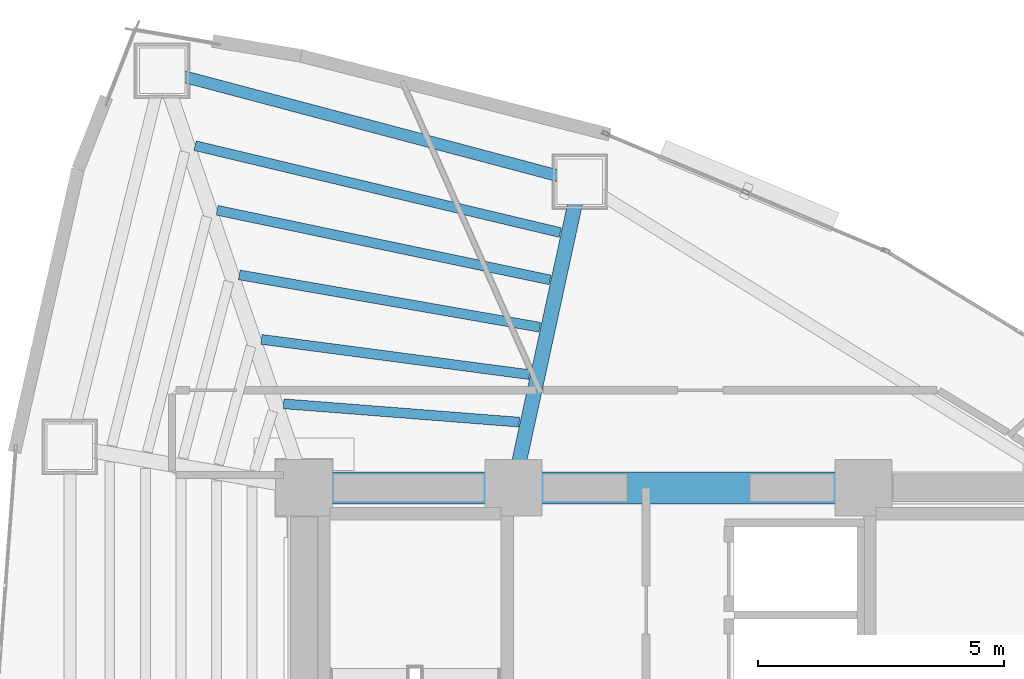
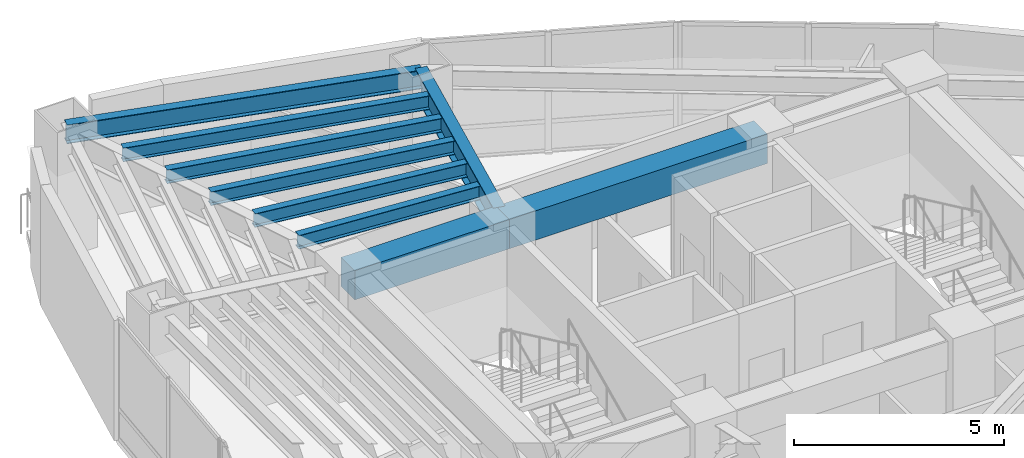
# One storey, part 8 of 15: 9 beams.
"""IFC4 building model written with IfcOpenShell, lengths in metres."""

from ifc_helpers import new_model, si_unit, direction, frame, origin, origin_2d, place, context, subcontext, project, spatial, rectangle, i_section, extrude, material, material_profile, profile_set, type_object, element, save


model = new_model("IFC4")

# Units and contexts
model_context = context("Model", 3, precision=1e-05, world=origin(), true_north=direction((0.0, 1.0)))
body_context = subcontext(model_context, "Body", "Model", "MODEL_VIEW")
ifc_project = project(units=[si_unit("LENGTHUNIT", "METRE"), si_unit("AREAUNIT", "SQUARE_METRE"), si_unit("VOLUMEUNIT", "CUBIC_METRE"), si_unit("PLANEANGLEUNIT", "RADIAN"), si_unit("MASSUNIT", "GRAM", prefix="KILO")], contexts=[model_context])

# Site, building, storey
site_placement = place(None, origin())
site = spatial("IfcSite", under=ifc_project, at=site_placement, CompositionType="ELEMENT")
building_placement = place(site_placement, origin())
building = spatial("IfcBuilding", under=site, at=building_placement, Name="Menara Vayukalpa", CompositionType="ELEMENT")
storey_placement = place(building_placement, frame((0.0, 0.0, 137.4599609375)))
storey = spatial("IfcBuildingStorey", under=building, at=storey_placement, Name="L34", CompositionType="ELEMENT", Elevation=137.4599609375)

# Beams
ifc_material_1 = material(Name="Concrete C60/75", Category="concrete")
ifc_material_profile_1 = material_profile(ifc_material_1, rectangle(XDim=0.64990234375, YDim=0.85009765625, at=origin_2d()), Name="RC 650x850")
ifc_profile_set_1 = profile_set([ifc_material_profile_1], Name="Concrete C60/75")
beam_type_1 = type_object("IfcBeamType", Name="BM-CB1", PredefinedType="BEAM", material=ifc_profile_set_1)
beam_1_placement = place(storey_placement, frame((17.800048828125, 26.800048828125, 3.074951171875), z_axis=(1.0, 0.0, 0.0), x_axis=(0.0, 1.0, 0.0)))
element("IfcBeam", 1, at=beam_1_placement, inside=storey, type_object=beam_type_1, Name="L34 Core Tie Beam CBR4", PredefinedType="BEAM", context=body_context, shape_type="SweptSolid", body=[
    extrude(rectangle(XDim=0.64990234375, YDim=0.85009765625, at=origin_2d()), origin(), (0.0, 0.0, 1.0), 4.25),
])
beam_2_placement = place(storey_placement, frame((22.050048828125, 26.800048828125, 3.074951171875), z_axis=(1.0, 0.0, 0.0), x_axis=(0.0, 1.0, 0.0)))
element("IfcBeam", 2, at=beam_2_placement, inside=storey, type_object=beam_type_1, Name="L34 Core Tie Beam CBR5", PredefinedType="BEAM", context=body_context, shape_type="SweptSolid", body=[
    extrude(rectangle(XDim=0.64990234375, YDim=0.85009765625, at=origin_2d()), origin(), (0.0, 0.0, 1.0), 7.099853515625),
])
ifc_material_2 = material(Name="Steel S355", Category="steel")
ifc_material_profile_2 = material_profile(ifc_material_2, i_section(OverallWidth=0.300048828125, OverallDepth=0.800048828125, WebThickness=0.013916015625, FlangeThickness=0.02587890625, at=origin_2d()), Name="WF 800x300x14x26")
ifc_profile_set_2 = profile_set([ifc_material_profile_2], Name="Steel S355")
beam_type_2 = type_object("IfcBeamType", Name="BM-PG3", PredefinedType="BEAM", material=ifc_profile_set_2)
beam_3_placement = place(storey_placement, frame((22.10302734375, 27.044189453125, 3.10009765625), z_axis=(0.211898459532, 0.9772916877, 0.0), x_axis=(-0.9772916877, 0.211898459532, 0.0)))
element("IfcBeam", 3, at=beam_3_placement, inside=storey, type_object=beam_type_2, Name="L34 Primary Radial Girder RG03", PredefinedType="BEAM", context=body_context, shape_type="SweptSolid", body=[
    extrude(i_section(OverallWidth=0.300048828125, OverallDepth=0.800048828125, WebThickness=0.013916015625, FlangeThickness=0.02587890625, at=origin_2d()), origin(), (0.0, 0.0, 1.0), 6.1064453125),
])
ifc_material_3 = material(Name="Steel S355", Category="steel")
ifc_material_profile_3 = material_profile(ifc_material_3, i_section(OverallWidth=0.199951171875, OverallDepth=0.39990234375, WebThickness=0.008056640625, FlangeThickness=0.012939453125, at=origin_2d()), Name="WF 400x200x8x13")
ifc_profile_set_3 = profile_set([ifc_material_profile_3], Name="Steel S355")
beam_type_3 = type_object("IfcBeamType", Name="BM-SJ2", PredefinedType="JOIST", material=ifc_profile_set_3)
beam_4_placement = place(storey_placement, frame((22.16650390625, 28.131591796875, 3.300048828125), z_axis=(-0.99698187454, 0.07763466905, 0.0), x_axis=(-0.07763466905, -0.99698187454, 0.0)))
element("IfcBeam", 4, at=beam_4_placement, inside=storey, type_object=beam_type_3, Name="L34 Secondary Floor Joist SJ03-1", PredefinedType="JOIST", context=body_context, shape_type="SweptSolid", body=[
    extrude(i_section(OverallWidth=0.199951171875, OverallDepth=0.39990234375, WebThickness=0.008056640625, FlangeThickness=0.012939453125, at=origin_2d()), origin(), (0.0, 0.0, 1.0), 4.795654296875),
])
beam_5_placement = place(storey_placement, frame((22.37451171875, 29.095458984375, 3.300048828125), z_axis=(-0.991465351363, 0.130370460792, 0.0), x_axis=(-0.130370460792, -0.991465351363, 0.0)))
element("IfcBeam", 5, at=beam_5_placement, inside=storey, type_object=beam_type_3, Name="L34 Secondary Floor Joist SJ03-2", PredefinedType="JOIST", context=body_context, shape_type="SweptSolid", body=[
    extrude(i_section(OverallWidth=0.199951171875, OverallDepth=0.39990234375, WebThickness=0.008056640625, FlangeThickness=0.012939453125, at=origin_2d()), origin(), (0.0, 0.0, 1.0), 5.485107421875),
])
beam_6_placement = place(storey_placement, frame((22.58251953125, 30.057373046875, 3.300048828125), z_axis=(-0.98515667511, 0.171657582084, 0.0), x_axis=(-0.171657582084, -0.98515667511, 0.0)))
element("IfcBeam", 6, at=beam_6_placement, inside=storey, type_object=beam_type_3, Name="L34 Secondary Floor Joist SJ03-3", PredefinedType="JOIST", context=body_context, shape_type="SweptSolid", body=[
    extrude(i_section(OverallWidth=0.199951171875, OverallDepth=0.39990234375, WebThickness=0.008056640625, FlangeThickness=0.012939453125, at=origin_2d()), origin(), (0.0, 0.0, 1.0), 6.186767578125),
])
beam_7_placement = place(storey_placement, frame((22.79052734375, 31.017822265625, 3.300048828125), z_axis=(-0.978829393328, 0.204677841395, 0.0), x_axis=(-0.204677841395, -0.978829393328, 0.0)))
element("IfcBeam", 7, at=beam_7_placement, inside=storey, type_object=beam_type_3, Name="L34 Secondary Floor Joist SJ03-4", PredefinedType="JOIST", context=body_context, shape_type="SweptSolid", body=[
    extrude(i_section(OverallWidth=0.199951171875, OverallDepth=0.39990234375, WebThickness=0.008056640625, FlangeThickness=0.012939453125, at=origin_2d()), origin(), (0.0, 0.0, 1.0), 6.89794921875),
])
beam_8_placement = place(storey_placement, frame((22.99853515625, 31.977294921875, 3.300048828125), z_axis=(-0.972824097487, 0.231545406668, 0.0), x_axis=(-0.231545406668, -0.972824097487, 0.0)))
element("IfcBeam", 8, at=beam_8_placement, inside=storey, type_object=beam_type_3, Name="L34 Secondary Floor Joist SJ03-5", PredefinedType="JOIST", context=body_context, shape_type="SweptSolid", body=[
    extrude(i_section(OverallWidth=0.199951171875, OverallDepth=0.39990234375, WebThickness=0.008056640625, FlangeThickness=0.012939453125, at=origin_2d()), origin(), (0.0, 0.0, 1.0), 7.615966796875),
])
ifc_material_4 = material(Name="Steel S355", Category="steel")
ifc_material_profile_4 = material_profile(ifc_material_4, i_section(OverallWidth=0.239990234375, OverallDepth=0.550048828125, WebThickness=0.010986328125, FlangeThickness=0.01904296875, at=origin_2d()), Name="WF 550x240x11x19")
ifc_profile_set_4 = profile_set([ifc_material_profile_4], Name="Steel S355")
beam_type_4 = type_object("IfcBeamType", Name="BM-SP2", PredefinedType="SPANDREL", material=ifc_profile_set_4)
beam_9_placement = place(storey_placement, frame((23.39697265625, 33.011962890625, 3.22509765625), z_axis=(-0.96657141455, 0.256397544009, 0.0), x_axis=(-0.256397544009, -0.96657141455, 0.0)))
element("IfcBeam", 9, at=beam_9_placement, inside=storey, type_object=beam_type_4, Name="L34 Perimeter Spandrel Beam SP03", PredefinedType="SPANDREL", context=body_context, shape_type="SweptSolid", body=[
    extrude(i_section(OverallWidth=0.239990234375, OverallDepth=0.550048828125, WebThickness=0.010986328125, FlangeThickness=0.01904296875, at=origin_2d()), origin(), (0.0, 0.0, 1.0), 8.769775390625),
])

save(model, "model.ifc")
